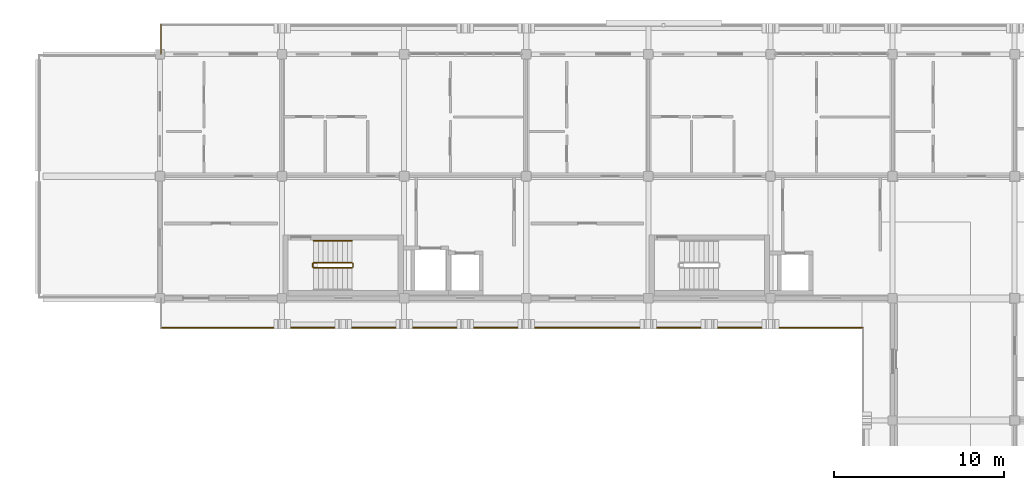
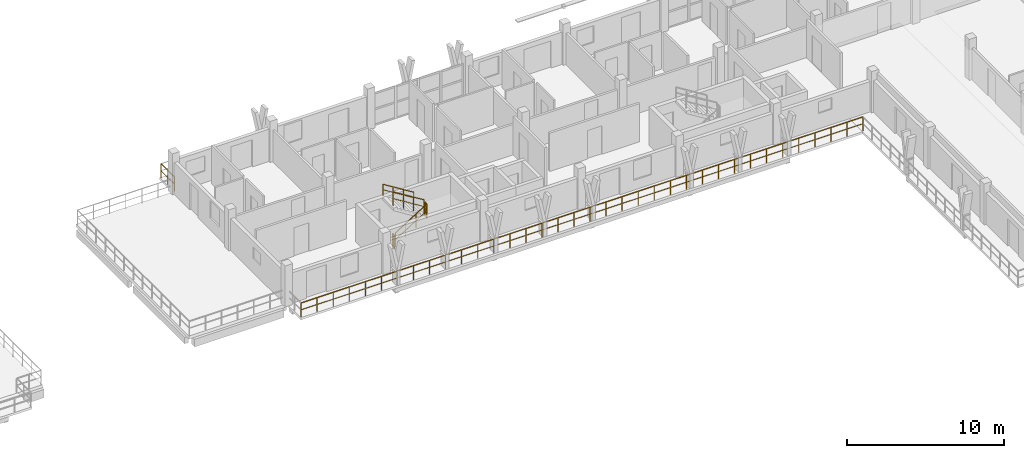
# One storey, part 71 of 73: 7 railings.
"""IFC4 building model written with IfcOpenShell, lengths in metres."""

from ifc_helpers import new_model, si_unit, direction, frame, origin, origin_2d, place, context, subcontext, project, spatial, rectangle, extrude, material, type_object, element, save


model = new_model("IFC4")

# Units and contexts
model_context = context("Model", 3, precision=1e-05, world=origin(), true_north=direction((0.0, 1.0)))
body_context = subcontext(model_context, "Body", "Model", "MODEL_VIEW")
ifc_project = project(units=[si_unit("LENGTHUNIT", "METRE"), si_unit("AREAUNIT", "SQUARE_METRE"), si_unit("VOLUMEUNIT", "CUBIC_METRE"), si_unit("PLANEANGLEUNIT", "RADIAN"), si_unit("MASSUNIT", "GRAM", prefix="KILO")], contexts=[model_context])

# Site, building, storey
site_placement = place(None, origin())
site = spatial("IfcSite", under=ifc_project, at=site_placement, CompositionType="ELEMENT")
building_placement = place(site_placement, origin())
building = spatial("IfcBuilding", under=site, at=building_placement, Name="Suanplinth Sawtooth Commons", CompositionType="ELEMENT")
storey_placement = place(building_placement, frame((0.0, 0.0, 21.89990234375)))
storey = spatial("IfcBuildingStorey", under=building, at=storey_placement, Name="L06", CompositionType="ELEMENT", Elevation=21.89990234375)

# Railings
ifc_material_1 = material(Name="Powder-coated galvanized steel", Category="steel")
railing_type_1 = type_object("IfcRailingType", Name="GR-01", PredefinedType="BALUSTRADE", material=ifc_material_1)
railing_1_placement = place(storey_placement, frame((171.06005859375, 106.260009765625, 0.0)))
element("IfcRailing", 1, at=railing_1_placement, inside=storey, type_object=railing_type_1, Name="L06 Block B Perimeter Balustrade 3", PredefinedType="BALUSTRADE", context=body_context, shape_type="SweptSolid", body=[
    extrude(rectangle(XDim=0.048095703125, YDim=0.048095703125, at=origin_2d()), frame((0.0, 0.0, 1.09619140625), z_axis=(-1.0, 0.0, 0.0), x_axis=(0.0, -1.0, 0.0)), (0.0, 0.0, 1.0), 41.400146484375),
    extrude(rectangle(XDim=0.03369140625, YDim=0.03369140625, at=origin_2d()), frame((0.0, 0.0, 0.56005859375), z_axis=(-1.0, 0.0, 0.0), x_axis=(0.0, -1.0, 0.0)), (0.0, 0.0, 1.0), 41.400146484375),
    extrude(rectangle(XDim=0.0419921875, YDim=0.0419921875, at=origin_2d()), origin(), (0.0, 0.0, 1.0), 1.072021484375),
    extrude(rectangle(XDim=0.0419921875, YDim=0.0419921875, at=origin_2d()), frame((-1.182861328125, 0.0, 0.0)), (0.0, 0.0, 1.0), 1.072021484375),
    extrude(rectangle(XDim=0.0419921875, YDim=0.0419921875, at=origin_2d()), frame((-2.36572265625, 0.0, 0.0)), (0.0, 0.0, 1.0), 1.072021484375),
    extrude(rectangle(XDim=0.0419921875, YDim=0.0419921875, at=origin_2d()), frame((-3.548583984375, 0.0, 0.0)), (0.0, 0.0, 1.0), 1.072021484375),
    extrude(rectangle(XDim=0.0419921875, YDim=0.0419921875, at=origin_2d()), frame((-4.7314453125, 0.0, 0.0)), (0.0, 0.0, 1.0), 1.072021484375),
    extrude(rectangle(XDim=0.0419921875, YDim=0.0419921875, at=origin_2d()), frame((-5.914306640625, 0.0, 0.0)), (0.0, 0.0, 1.0), 1.072021484375),
    extrude(rectangle(XDim=0.0419921875, YDim=0.0419921875, at=origin_2d()), frame((-7.09716796875, 0.0, 0.0)), (0.0, 0.0, 1.0), 1.072021484375),
    extrude(rectangle(XDim=0.0419921875, YDim=0.0419921875, at=origin_2d()), frame((-8.280029296875, 0.0, 0.0)), (0.0, 0.0, 1.0), 1.072021484375),
    extrude(rectangle(XDim=0.0419921875, YDim=0.0419921875, at=origin_2d()), frame((-9.462890625, 0.0, 0.0)), (0.0, 0.0, 1.0), 1.072021484375),
    extrude(rectangle(XDim=0.0419921875, YDim=0.0419921875, at=origin_2d()), frame((-10.645751953125, 0.0, 0.0)), (0.0, 0.0, 1.0), 1.072021484375),
    extrude(rectangle(XDim=0.0419921875, YDim=0.0419921875, at=origin_2d()), frame((-11.82861328125, 0.0, 0.0)), (0.0, 0.0, 1.0), 1.072021484375),
    extrude(rectangle(XDim=0.0419921875, YDim=0.0419921875, at=origin_2d()), frame((-13.011474609375, 0.0, 0.0)), (0.0, 0.0, 1.0), 1.072021484375),
    extrude(rectangle(XDim=0.0419921875, YDim=0.0419921875, at=origin_2d()), frame((-14.1943359375, 0.0, 0.0)), (0.0, 0.0, 1.0), 1.072021484375),
    extrude(rectangle(XDim=0.0419921875, YDim=0.0419921875, at=origin_2d()), frame((-15.377197265625, 0.0, 0.0)), (0.0, 0.0, 1.0), 1.072021484375),
    extrude(rectangle(XDim=0.0419921875, YDim=0.0419921875, at=origin_2d()), frame((-16.56005859375, 0.0, 0.0)), (0.0, 0.0, 1.0), 1.072021484375),
    extrude(rectangle(XDim=0.0419921875, YDim=0.0419921875, at=origin_2d()), frame((-17.742919921875, 0.0, 0.0)), (0.0, 0.0, 1.0), 1.072021484375),
    extrude(rectangle(XDim=0.0419921875, YDim=0.0419921875, at=origin_2d()), frame((-18.92578125, 0.0, 0.0)), (0.0, 0.0, 1.0), 1.072021484375),
    extrude(rectangle(XDim=0.0419921875, YDim=0.0419921875, at=origin_2d()), frame((-20.108642578125, 0.0, 0.0)), (0.0, 0.0, 1.0), 1.072021484375),
    extrude(rectangle(XDim=0.0419921875, YDim=0.0419921875, at=origin_2d()), frame((-21.29150390625, 0.0, 0.0)), (0.0, 0.0, 1.0), 1.072021484375),
    extrude(rectangle(XDim=0.0419921875, YDim=0.0419921875, at=origin_2d()), frame((-22.474365234375, 0.0, 0.0)), (0.0, 0.0, 1.0), 1.072021484375),
    extrude(rectangle(XDim=0.0419921875, YDim=0.0419921875, at=origin_2d()), frame((-23.6572265625, 0.0, 0.0)), (0.0, 0.0, 1.0), 1.072021484375),
    extrude(rectangle(XDim=0.0419921875, YDim=0.0419921875, at=origin_2d()), frame((-24.840087890625, 0.0, 0.0)), (0.0, 0.0, 1.0), 1.072021484375),
    extrude(rectangle(XDim=0.0419921875, YDim=0.0419921875, at=origin_2d()), frame((-26.02294921875, 0.0, 0.0)), (0.0, 0.0, 1.0), 1.072021484375),
    extrude(rectangle(XDim=0.0419921875, YDim=0.0419921875, at=origin_2d()), frame((-27.205810546875, 0.0, 0.0)), (0.0, 0.0, 1.0), 1.072021484375),
    extrude(rectangle(XDim=0.0419921875, YDim=0.0419921875, at=origin_2d()), frame((-28.388671875, 0.0, 0.0)), (0.0, 0.0, 1.0), 1.072021484375),
    extrude(rectangle(XDim=0.0419921875, YDim=0.0419921875, at=origin_2d()), frame((-29.571533203125, 0.0, 0.0)), (0.0, 0.0, 1.0), 1.072021484375),
    extrude(rectangle(XDim=0.0419921875, YDim=0.0419921875, at=origin_2d()), frame((-30.75439453125, 0.0, 0.0)), (0.0, 0.0, 1.0), 1.072021484375),
    extrude(rectangle(XDim=0.0419921875, YDim=0.0419921875, at=origin_2d()), frame((-31.937255859375, 0.0, 0.0)), (0.0, 0.0, 1.0), 1.072021484375),
    extrude(rectangle(XDim=0.0419921875, YDim=0.0419921875, at=origin_2d()), frame((-33.1201171875, 0.0, 0.0)), (0.0, 0.0, 1.0), 1.072021484375),
    extrude(rectangle(XDim=0.0419921875, YDim=0.0419921875, at=origin_2d()), frame((-34.302978515625, 0.0, 0.0)), (0.0, 0.0, 1.0), 1.072021484375),
    extrude(rectangle(XDim=0.0419921875, YDim=0.0419921875, at=origin_2d()), frame((-35.48583984375, 0.0, 0.0)), (0.0, 0.0, 1.0), 1.072021484375),
    extrude(rectangle(XDim=0.0419921875, YDim=0.0419921875, at=origin_2d()), frame((-36.668701171875, 0.0, 0.0)), (0.0, 0.0, 1.0), 1.072021484375),
    extrude(rectangle(XDim=0.0419921875, YDim=0.0419921875, at=origin_2d()), frame((-37.8515625, 0.0, 0.0)), (0.0, 0.0, 1.0), 1.072021484375),
    extrude(rectangle(XDim=0.0419921875, YDim=0.0419921875, at=origin_2d()), frame((-39.034423828125, 0.0, 0.0)), (0.0, 0.0, 1.0), 1.072021484375),
    extrude(rectangle(XDim=0.0419921875, YDim=0.0419921875, at=origin_2d()), frame((-40.21728515625, 0.0, 0.0)), (0.0, 0.0, 1.0), 1.072021484375),
    extrude(rectangle(XDim=0.0419921875, YDim=0.0419921875, at=origin_2d()), frame((-41.400146484375, 0.0, 0.0)), (0.0, 0.0, 1.0), 1.072021484375),
])
railing_2_placement = place(storey_placement, frame((129.659912109375, 122.419921875, 0.0)))
element("IfcRailing", 2, at=railing_2_placement, inside=storey, type_object=railing_type_1, Name="L06 Block B Perimeter Balustrade 8", PredefinedType="BALUSTRADE", context=body_context, shape_type="SweptSolid", body=[
    extrude(rectangle(XDim=0.048095703125, YDim=0.048095703125, at=origin_2d()), frame((0.0, 0.0, 1.09619140625), z_axis=(0.0, 1.0, 0.0), x_axis=(-1.0, 0.0, 0.0)), (0.0, 0.0, 1.0), 1.719970703125),
    extrude(rectangle(XDim=0.03369140625, YDim=0.03369140625, at=origin_2d()), frame((0.0, 0.0, 0.56005859375), z_axis=(0.0, 1.0, 0.0), x_axis=(-1.0, 0.0, 0.0)), (0.0, 0.0, 1.0), 1.719970703125),
    extrude(rectangle(XDim=0.0419921875, YDim=0.0419921875, at=origin_2d()), origin(), (0.0, 0.0, 1.0), 1.072021484375),
    extrude(rectangle(XDim=0.0419921875, YDim=0.0419921875, at=origin_2d()), frame((0.0, 0.85986328125, 0.0)), (0.0, 0.0, 1.0), 1.072021484375),
    extrude(rectangle(XDim=0.0419921875, YDim=0.0419921875, at=origin_2d()), frame((0.0, 1.719970703125, 0.0)), (0.0, 0.0, 1.0), 1.072021484375),
])
ifc_material_2 = material(Name="Stainless steel Grade 304", Category="steel")
railing_type_2 = type_object("IfcRailingType", Name="GR-04", PredefinedType="GUARDRAIL", material=ifc_material_2)
railing_3_placement = place(storey_placement, frame((138.64990234375, 109.800048828125, 0.177978515625)))
element("IfcRailing", 3, at=railing_3_placement, inside=storey, type_object=railing_type_2, Name="L06 ST-E1 Guard 1", PredefinedType="GUARDRAIL", context=body_context, shape_type="SweptSolid", body=[
    extrude(rectangle(XDim=0.048095703125, YDim=0.048095703125, at=origin_2d()), frame((0.0, 0.0, 1.076171875), z_axis=(0.848482842525, 0.0, 0.529222888715), x_axis=(0.0, 1.0, 0.0)), (0.0, 0.0, 1.0), 2.687255859375),
    extrude(rectangle(XDim=0.03369140625, YDim=0.03369140625, at=origin_2d()), frame((0.0, 0.0, 0.550048828125), z_axis=(0.848482842525, 0.0, 0.529222888715), x_axis=(0.0, 1.0, 0.0)), (0.0, 0.0, 1.0), 2.687255859375),
    extrude(rectangle(XDim=0.0419921875, YDim=0.0419921875, at=origin_2d()), origin(), (0.0, 0.0, 1.0), 1.052001953125),
    extrude(rectangle(XDim=0.0419921875, YDim=0.0419921875, at=origin_2d()), frame((0.760009765625, 0.0, 0.47412109375)), (0.0, 0.0, 1.0), 1.052001953125),
    extrude(rectangle(XDim=0.0419921875, YDim=0.0419921875, at=origin_2d()), frame((1.52001953125, 0.0, 0.947998046875)), (0.0, 0.0, 1.0), 1.052001953125),
    extrude(rectangle(XDim=0.0419921875, YDim=0.0419921875, at=origin_2d()), frame((2.280029296875, 0.0, 1.422119140625)), (0.0, 0.0, 1.0), 1.052001953125),
])
railing_4_placement = place(storey_placement, frame((140.97998046875, 109.85009765625, 1.60009765625)))
element("IfcRailing", 4, at=railing_4_placement, inside=storey, type_object=railing_type_2, Name="L06 ST-E1 Guard 2", PredefinedType="GUARDRAIL", context=body_context, shape_type="SweptSolid", body=[
    extrude(rectangle(XDim=0.048095703125, YDim=0.048095703125, at=origin_2d()), frame((0.0, 0.0, 1.076171875), z_axis=(0.0, 1.0, 0.0), x_axis=(-1.0, 0.0, 0.0)), (0.0, 0.0, 1.0), 0.199951171875),
    extrude(rectangle(XDim=0.03369140625, YDim=0.03369140625, at=origin_2d()), frame((0.0, 0.0, 0.550048828125), z_axis=(0.0, 1.0, 0.0), x_axis=(-1.0, 0.0, 0.0)), (0.0, 0.0, 1.0), 0.199951171875),
    extrude(rectangle(XDim=0.0419921875, YDim=0.0419921875, at=origin_2d()), origin(), (0.0, 0.0, 1.0), 1.052001953125),
    extrude(rectangle(XDim=0.0419921875, YDim=0.0419921875, at=origin_2d()), frame((0.0, 0.199951171875, 0.0)), (0.0, 0.0, 1.0), 1.052001953125),
])
railing_5_placement = place(storey_placement, frame((140.929931640625, 110.10009765625, 1.77783203125)))
element("IfcRailing", 5, at=railing_5_placement, inside=storey, type_object=railing_type_2, Name="L06 ST-E1 Guard 3", PredefinedType="GUARDRAIL", context=body_context, shape_type="SweptSolid", body=[
    extrude(rectangle(XDim=0.048095703125, YDim=0.048095703125, at=origin_2d()), frame((0.0, 0.0, 1.076171875), z_axis=(-0.848442045328, 0.0, 0.529288291689), x_axis=(0.0, -1.0, 0.0)), (0.0, 0.0, 1.0), 2.687255859375),
    extrude(rectangle(XDim=0.03369140625, YDim=0.03369140625, at=origin_2d()), frame((0.0, 0.0, 0.550048828125), z_axis=(-0.848442045328, 0.0, 0.529288291689), x_axis=(0.0, -1.0, 0.0)), (0.0, 0.0, 1.0), 2.687255859375),
    extrude(rectangle(XDim=0.0419921875, YDim=0.0419921875, at=origin_2d()), origin(), (0.0, 0.0, 1.0), 1.052001953125),
    extrude(rectangle(XDim=0.0419921875, YDim=0.0419921875, at=origin_2d()), frame((-0.760009765625, 0.0, 0.47412109375)), (0.0, 0.0, 1.0), 1.052001953125),
    extrude(rectangle(XDim=0.0419921875, YDim=0.0419921875, at=origin_2d()), frame((-1.52001953125, 0.0, 0.9482421875)), (0.0, 0.0, 1.0), 1.052001953125),
    extrude(rectangle(XDim=0.0419921875, YDim=0.0419921875, at=origin_2d()), frame((-2.280029296875, 0.0, 1.42236328125)), (0.0, 0.0, 1.0), 1.052001953125),
])
railing_6_placement = place(storey_placement, frame((138.60009765625, 109.85009765625, 0.0)))
element("IfcRailing", 6, at=railing_6_placement, inside=storey, type_object=railing_type_2, Name="L06 ST-E1 Guard 4", PredefinedType="GUARDRAIL", context=body_context, shape_type="SweptSolid", body=[
    extrude(rectangle(XDim=0.048095703125, YDim=0.048095703125, at=origin_2d()), frame((0.0, 0.0, 1.076171875), z_axis=(0.0, 1.0, 0.0), x_axis=(-1.0, 0.0, 0.0)), (0.0, 0.0, 1.0), 0.199951171875),
    extrude(rectangle(XDim=0.03369140625, YDim=0.03369140625, at=origin_2d()), frame((0.0, 0.0, 0.550048828125), z_axis=(0.0, 1.0, 0.0), x_axis=(-1.0, 0.0, 0.0)), (0.0, 0.0, 1.0), 0.199951171875),
    extrude(rectangle(XDim=0.0419921875, YDim=0.0419921875, at=origin_2d()), origin(), (0.0, 0.0, 1.0), 1.052001953125),
    extrude(rectangle(XDim=0.0419921875, YDim=0.0419921875, at=origin_2d()), frame((0.0, 0.199951171875, 0.0)), (0.0, 0.0, 1.0), 1.052001953125),
])
railing_type_3 = type_object("IfcRailingType", Name="HR-01", PredefinedType="HANDRAIL", material=ifc_material_2)
railing_7_placement = place(storey_placement, frame((140.929931640625, 111.39990234375, 1.77783203125)))
element("IfcRailing", 7, at=railing_7_placement, inside=storey, type_object=railing_type_3, Name="L06 ST-E1 Handrail 2", PredefinedType="HANDRAIL", context=body_context, shape_type="SweptSolid", body=[
    extrude(rectangle(XDim=0.048095703125, YDim=0.048095703125, at=origin_2d()), frame((0.0, 0.0, 0.8759765625), z_axis=(-0.848442045328, 0.0, 0.529288291689), x_axis=(0.0, -1.0, 0.0)), (0.0, 0.0, 1.0), 2.687255859375),
    extrude(rectangle(XDim=0.03369140625, YDim=0.03369140625, at=origin_2d()), frame((0.0, 0.0, 0.449951171875), z_axis=(-0.848442045328, 0.0, 0.529288291689), x_axis=(0.0, -1.0, 0.0)), (0.0, 0.0, 1.0), 2.687255859375),
    extrude(rectangle(XDim=0.0419921875, YDim=0.0419921875, at=origin_2d()), origin(), (0.0, 0.0, 1.0), 0.851806640625),
    extrude(rectangle(XDim=0.0419921875, YDim=0.0419921875, at=origin_2d()), frame((-0.760009765625, 0.0, 0.47412109375)), (0.0, 0.0, 1.0), 0.851806640625),
    extrude(rectangle(XDim=0.0419921875, YDim=0.0419921875, at=origin_2d()), frame((-1.52001953125, 0.0, 0.9482421875)), (0.0, 0.0, 1.0), 0.851806640625),
    extrude(rectangle(XDim=0.0419921875, YDim=0.0419921875, at=origin_2d()), frame((-2.280029296875, 0.0, 1.42236328125)), (0.0, 0.0, 1.0), 0.851806640625),
])

save(model, "model.ifc")
